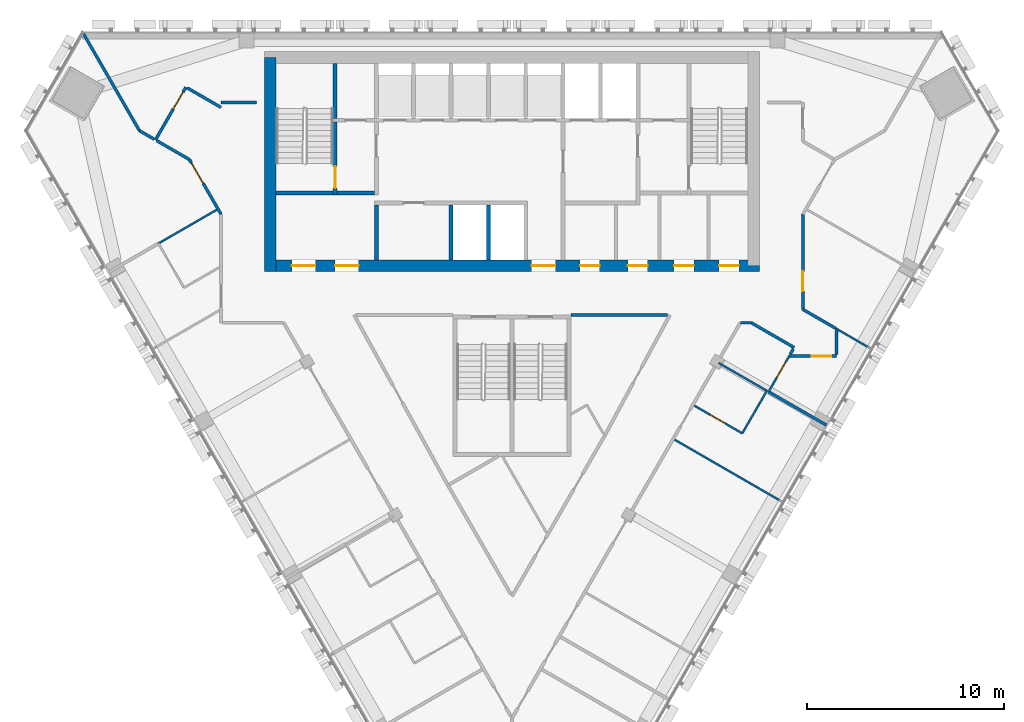
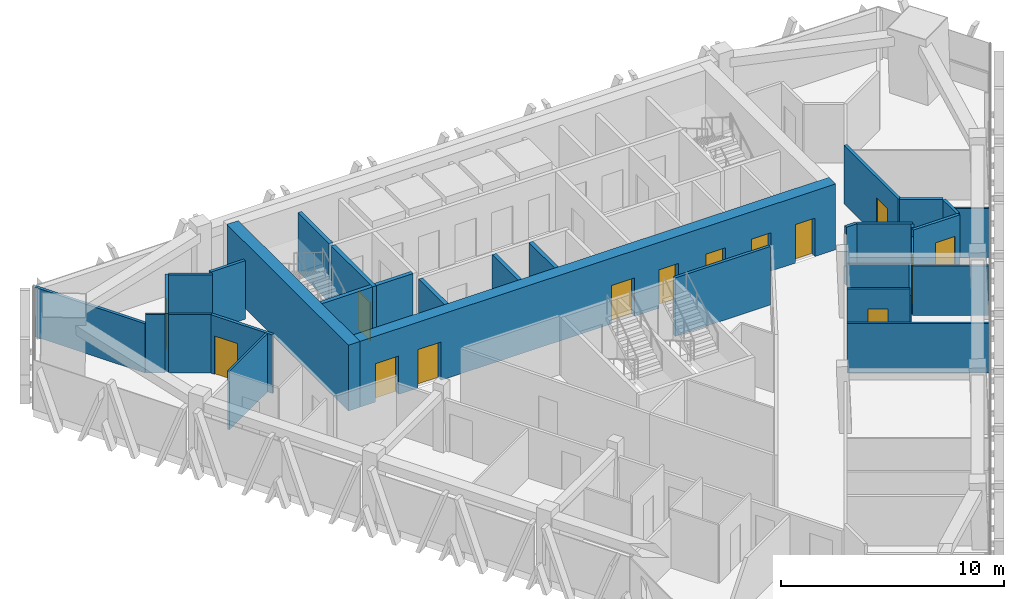
# One storey, part 9 of 14: 32 walls, 14 doors, 14 openings.
"""IFC4 building model written with IfcOpenShell, lengths in metres."""

from ifc_helpers import new_model, si_unit, direction, frame, frame_2d, origin, place, context, subcontext, project, spatial, rectangle, extrude, material, layer, layer_set, type_object, element, fill, save


model = new_model("IFC4")

# Units and contexts
model_context = context("Model", 3, precision=1e-05, world=origin(), true_north=direction((0.0, 1.0)))
body_context = subcontext(model_context, "Body", "Model", "MODEL_VIEW")
ifc_project = project(units=[si_unit("LENGTHUNIT", "METRE"), si_unit("AREAUNIT", "SQUARE_METRE"), si_unit("VOLUMEUNIT", "CUBIC_METRE"), si_unit("PLANEANGLEUNIT", "RADIAN"), si_unit("MASSUNIT", "GRAM", prefix="KILO")], contexts=[model_context])

# Site, building, storey
site_placement = place(None, origin())
site = spatial("IfcSite", under=ifc_project, at=site_placement, CompositionType="ELEMENT")
building_placement = place(site_placement, origin())
building = spatial("IfcBuilding", under=site, at=building_placement, Name="Altiplano Prism Tower", CompositionType="ELEMENT")
storey_placement = place(building_placement, frame((0.0, 0.0, 223.0)))
storey = spatial("IfcBuildingStorey", under=building, at=storey_placement, Name="L57", CompositionType="ELEMENT", Elevation=223.0)

# Wall, openings, doors
ifc_material_1 = material(Name="Concrete C60/75", Category="concrete")
ifc_layer_1 = layer(ifc_material_1, 0.60009765625)
ifc_layer_set_1 = layer_set([ifc_layer_1], Name="Concrete C60/75")
wall_type_1 = type_object("IfcWallType", Name="Core wall 600", PredefinedType="SHEAR", material=ifc_layer_set_1)
wall_1_placement = place(storey_placement, frame((72.699951171875, 93.10009765625, 0.0), z_axis=(0.0, 0.0, 1.0), x_axis=(1.0, 0.0, 0.0)))
wall_1 = element("IfcWall", 1, at=wall_1_placement, inside=storey, type_object=wall_type_1, Name="Core wall S L57", PredefinedType="SHEAR", context=body_context, shape_type="SweptSolid", body=[
    extrude(rectangle(XDim=24.900146484375, YDim=0.60009765625, at=frame_2d((12.4501953125, 0.0))), origin(), (0.0, 0.0, 1.0), 3.60009765625),
])
opening_1_placement = place(wall_1_placement, frame((1.10009765625, 0.0, 0.0)))
opening_1 = element("IfcOpeningElement", 2, at=opening_1_placement, cuts=wall_1, Name="Opening D3374", PredefinedType="OPENING", context=body_context, shape_type="SweptSolid", body=[
    extrude(rectangle(XDim=1.199951171875, YDim=2.10009765625, at=frame_2d((0.60009765625, 1.050048828125))), frame((0.0, 0.310546875, 0.0), z_axis=(0.0, -1.0, 0.0), x_axis=(1.0, 0.0, 0.0)), (0.0, 0.0, 1.0), 0.62109375),
])
opening_2_placement = place(wall_1_placement, frame((3.300048828125, 0.0, 0.0)))
opening_2 = element("IfcOpeningElement", 3, at=opening_2_placement, cuts=wall_1, Name="Opening D3375", PredefinedType="OPENING", context=body_context, shape_type="SweptSolid", body=[
    extrude(rectangle(XDim=1.199951171875, YDim=2.10009765625, at=frame_2d((0.60009765625, 1.050048828125))), frame((0.0, 0.310546875, 0.0), z_axis=(0.0, -1.0, 0.0), x_axis=(1.0, 0.0, 0.0)), (0.0, 0.0, 1.0), 0.62109375),
])
opening_3_placement = place(wall_1_placement, frame((13.300048828125, 0.0, 0.0)))
opening_3 = element("IfcOpeningElement", 4, at=opening_3_placement, cuts=wall_1, Name="Opening D3376", PredefinedType="OPENING", context=body_context, shape_type="SweptSolid", body=[
    extrude(rectangle(XDim=1.199951171875, YDim=2.10009765625, at=frame_2d((0.60009765625, 1.050048828125))), frame((0.0, 0.310546875, 0.0), z_axis=(0.0, -1.0, 0.0), x_axis=(1.0, 0.0, 0.0)), (0.0, 0.0, 1.0), 0.62109375),
])
opening_4_placement = place(wall_1_placement, frame((15.762451171875, 0.0, 0.0)))
opening_4 = element("IfcOpeningElement", 5, at=opening_4_placement, cuts=wall_1, Name="Opening D3379", PredefinedType="OPENING", context=body_context, shape_type="SweptSolid", body=[
    extrude(rectangle(XDim=1.0, YDim=2.10009765625, at=frame_2d((0.5, 1.050048828125))), frame((0.0, 0.310546875, 0.0), z_axis=(0.0, -1.0, 0.0), x_axis=(1.0, 0.0, 0.0)), (0.0, 0.0, 1.0), 0.62109375),
])
opening_5_placement = place(wall_1_placement, frame((18.199951171875, 0.0, 0.0)))
opening_5 = element("IfcOpeningElement", 6, at=opening_5_placement, cuts=wall_1, Name="Opening D3380", PredefinedType="OPENING", context=body_context, shape_type="SweptSolid", body=[
    extrude(rectangle(XDim=1.0, YDim=2.10009765625, at=frame_2d((0.5, 1.050048828125))), frame((0.0, 0.310546875, 0.0), z_axis=(0.0, -1.0, 0.0), x_axis=(1.0, 0.0, 0.0)), (0.0, 0.0, 1.0), 0.62109375),
])
opening_6_placement = place(wall_1_placement, frame((20.550048828125, 0.0, 0.0)))
opening_6 = element("IfcOpeningElement", 7, at=opening_6_placement, cuts=wall_1, Name="Opening D3381", PredefinedType="OPENING", context=body_context, shape_type="SweptSolid", body=[
    extrude(rectangle(XDim=1.0, YDim=2.10009765625, at=frame_2d((0.5, 1.050048828125))), frame((0.0, 0.310546875, 0.0), z_axis=(0.0, -1.0, 0.0), x_axis=(1.0, 0.0, 0.0)), (0.0, 0.0, 1.0), 0.62109375),
])
opening_7_placement = place(wall_1_placement, frame((22.83740234375, 0.0, 0.0)))
opening_7 = element("IfcOpeningElement", 8, at=opening_7_placement, cuts=wall_1, Name="Opening D3382", PredefinedType="OPENING", context=body_context, shape_type="SweptSolid", body=[
    extrude(rectangle(XDim=1.0, YDim=2.10009765625, at=frame_2d((0.5, 1.050048828125))), frame((0.0, 0.310546875, 0.0), z_axis=(0.0, -1.0, 0.0), x_axis=(1.0, 0.0, 0.0)), (0.0, 0.0, 1.0), 0.62109375),
])
ifc_material_2 = material(Name="Fire-rated steel door", Category="steel")
door_type_1 = type_object("IfcDoorType", Name="Core room door 1000 x 2100", OperationType="NOTDEFINED", PredefinedType="NOTDEFINED", material=ifc_material_2)
door_1_placement = place(opening_4_placement, origin())
door_1 = element("IfcDoor", 9, at=door_1_placement, inside=storey, type_object=door_type_1, Name="Core room door D3379", OperationType="SINGLE_SWING_RIGHT", OverallHeight=2.10009765625, OverallWidth=1.0, PredefinedType="NOTDEFINED", context=body_context, shape_type="SweptSolid", body=[
    extrude(rectangle(XDim=1.0, YDim=2.10009765625, at=frame_2d((0.5, 1.050048828125))), frame((0.0, 0.02490234375, 0.0), z_axis=(0.0, -1.0, 0.0), x_axis=(1.0, 0.0, 0.0)), (0.0, 0.0, 1.0), 0.050048828125),
])
fill(opening_4, door_1)
door_2_placement = place(opening_5_placement, origin())
door_2 = element("IfcDoor", 10, at=door_2_placement, inside=storey, type_object=door_type_1, Name="Core room door D3380", OperationType="SINGLE_SWING_LEFT", OverallHeight=2.10009765625, OverallWidth=1.0, PredefinedType="NOTDEFINED", context=body_context, shape_type="SweptSolid", body=[
    extrude(rectangle(XDim=1.0, YDim=2.10009765625, at=frame_2d((0.5, 1.050048828125))), frame((0.0, 0.02490234375, 0.0), z_axis=(0.0, -1.0, 0.0), x_axis=(1.0, 0.0, 0.0)), (0.0, 0.0, 1.0), 0.050048828125),
])
fill(opening_5, door_2)
door_3_placement = place(opening_6_placement, origin())
door_3 = element("IfcDoor", 11, at=door_3_placement, inside=storey, type_object=door_type_1, Name="Core room door D3381", OperationType="SINGLE_SWING_RIGHT", OverallHeight=2.10009765625, OverallWidth=1.0, PredefinedType="NOTDEFINED", context=body_context, shape_type="SweptSolid", body=[
    extrude(rectangle(XDim=1.0, YDim=2.10009765625, at=frame_2d((0.5, 1.050048828125))), frame((0.0, 0.02490234375, 0.0), z_axis=(0.0, -1.0, 0.0), x_axis=(1.0, 0.0, 0.0)), (0.0, 0.0, 1.0), 0.050048828125),
])
fill(opening_6, door_3)
door_4_placement = place(opening_7_placement, origin())
door_4 = element("IfcDoor", 12, at=door_4_placement, inside=storey, type_object=door_type_1, Name="Core room door D3382", OperationType="SINGLE_SWING_LEFT", OverallHeight=2.10009765625, OverallWidth=1.0, PredefinedType="NOTDEFINED", context=body_context, shape_type="SweptSolid", body=[
    extrude(rectangle(XDim=1.0, YDim=2.10009765625, at=frame_2d((0.5, 1.050048828125))), frame((0.0, 0.02490234375, 0.0), z_axis=(0.0, -1.0, 0.0), x_axis=(1.0, 0.0, 0.0)), (0.0, 0.0, 1.0), 0.050048828125),
])
fill(opening_7, door_4)
door_type_2 = type_object("IfcDoorType", Name="Lobby fire door 1200 x 2100", OperationType="NOTDEFINED", PredefinedType="NOTDEFINED", material=ifc_material_2)
door_5_placement = place(opening_1_placement, origin())
door_5 = element("IfcDoor", 13, at=door_5_placement, inside=storey, type_object=door_type_2, Name="Lobby fire door D3374", OperationType="SINGLE_SWING_RIGHT", OverallHeight=2.10009765625, OverallWidth=1.199951171875, PredefinedType="NOTDEFINED", context=body_context, shape_type="SweptSolid", body=[
    extrude(rectangle(XDim=1.199951171875, YDim=2.10009765625, at=frame_2d((0.60009765625, 1.050048828125))), frame((0.0, 0.02490234375, 0.0), z_axis=(0.0, -1.0, 0.0), x_axis=(1.0, 0.0, 0.0)), (0.0, 0.0, 1.0), 0.050048828125),
])
fill(opening_1, door_5)
door_6_placement = place(opening_2_placement, origin())
door_6 = element("IfcDoor", 14, at=door_6_placement, inside=storey, type_object=door_type_2, Name="Lobby fire door D3375", OperationType="SINGLE_SWING_LEFT", OverallHeight=2.10009765625, OverallWidth=1.199951171875, PredefinedType="NOTDEFINED", context=body_context, shape_type="SweptSolid", body=[
    extrude(rectangle(XDim=1.199951171875, YDim=2.10009765625, at=frame_2d((0.60009765625, 1.050048828125))), frame((0.0, 0.02490234375, 0.0), z_axis=(0.0, -1.0, 0.0), x_axis=(1.0, 0.0, 0.0)), (0.0, 0.0, 1.0), 0.050048828125),
])
fill(opening_2, door_6)
door_7_placement = place(opening_3_placement, origin())
door_7 = element("IfcDoor", 15, at=door_7_placement, inside=storey, type_object=door_type_2, Name="Lobby fire door D3376", OperationType="SINGLE_SWING_RIGHT", OverallHeight=2.10009765625, OverallWidth=1.199951171875, PredefinedType="NOTDEFINED", context=body_context, shape_type="SweptSolid", body=[
    extrude(rectangle(XDim=1.199951171875, YDim=2.10009765625, at=frame_2d((0.60009765625, 1.050048828125))), frame((0.0, 0.02490234375, 0.0), z_axis=(0.0, -1.0, 0.0), x_axis=(1.0, 0.0, 0.0)), (0.0, 0.0, 1.0), 0.050048828125),
])
fill(opening_3, door_7)

# Walls
wall_2_placement = place(storey_placement, frame((72.699951171875, 103.699951171875, 0.0), z_axis=(0.0, 0.0, 1.0), x_axis=(0.0, -1.0, 0.0)))
element("IfcWall", 16, at=wall_2_placement, inside=storey, type_object=wall_type_1, Name="Core wall W L57", PredefinedType="SHEAR", context=body_context, shape_type="SweptSolid", body=[
    extrude(rectangle(XDim=10.89990234375, YDim=0.60009765625, at=frame_2d((5.449951171875, 0.0))), origin(), (0.0, 0.0, 1.0), 3.60009765625),
])
ifc_material_3 = material(Name="Plasterboard on steel stud", Category="steel")
ifc_layer_2 = layer(ifc_material_3, 0.10009765625)
ifc_layer_set_2 = layer_set([ifc_layer_2], Name="Plasterboard on steel stud")
wall_type_2 = type_object("IfcWallType", Name="Partition 100 unit", PredefinedType="PARTITIONING", material=ifc_layer_set_2)
wall_3_placement = place(storey_placement, frame((97.9638671875, 86.740234375, 0.0), z_axis=(0.0, 0.0, 1.0), x_axis=(-0.500004234368, -0.866022959057, 0.0)))
element("IfcWall", 17, at=wall_3_placement, inside=storey, type_object=wall_type_2, Name="Partition P02 L57 054", PredefinedType="PARTITIONING", context=body_context, shape_type="SweptSolid", body=[
    extrude(rectangle(XDim=2.5, YDim=0.10009765625, at=frame_2d((1.25, 0.0))), origin(), (0.0, 0.0, 1.0), 2.800048828125),
])

# Wall, opening, door
wall_4_placement = place(storey_placement, frame((96.7138671875, 84.5751953125, 0.0), z_axis=(0.0, 0.0, 1.0), x_axis=(-0.866048868473, 0.499959355765, 0.0)))
wall_4 = element("IfcWall", 18, at=wall_4_placement, inside=storey, type_object=wall_type_2, Name="Partition P02 L57 055", PredefinedType="PARTITIONING", context=body_context, shape_type="SweptSolid", body=[
    extrude(rectangle(XDim=2.824951171875, YDim=0.10009765625, at=frame_2d((1.41259765625, 0.0))), origin(), (0.0, 0.0, 1.0), 3.199951171875),
])
opening_8_placement = place(wall_4_placement, frame((1.0, 0.0, 0.0)))
opening_8 = element("IfcOpeningElement", 19, at=opening_8_placement, cuts=wall_4, Name="Opening D1916", PredefinedType="OPENING", context=body_context, shape_type="SweptSolid", body=[
    extrude(rectangle(XDim=0.89990234375, YDim=2.10009765625, at=frame_2d((0.449951171875, 1.050048828125))), frame((0.0, 0.060546875, 0.0), z_axis=(0.0, -1.0, 0.0), x_axis=(1.0, 0.0, 0.0)), (0.0, 0.0, 1.0), 0.12109375),
])
ifc_material_4 = material(Name="Timber", Category="wood")
door_type_3 = type_object("IfcDoorType", Name="Ensuite door 900 x 2100", OperationType="NOTDEFINED", PredefinedType="NOTDEFINED", material=ifc_material_4)
door_8_placement = place(opening_8_placement, origin())
door_8 = element("IfcDoor", 20, at=door_8_placement, inside=storey, type_object=door_type_3, Name="Door D1916", OperationType="SINGLE_SWING_RIGHT", OverallHeight=2.10009765625, OverallWidth=0.89990234375, PredefinedType="NOTDEFINED", context=body_context, shape_type="SweptSolid", body=[
    extrude(rectangle(XDim=0.89990234375, YDim=2.10009765625, at=frame_2d((0.449951171875, 1.050048828125))), frame((0.0, 0.02490234375, 0.0), z_axis=(0.0, -1.0, 0.0), x_axis=(1.0, 0.0, 0.0)), (0.0, 0.0, 1.0), 0.050048828125),
])
fill(opening_8, door_8)

wall_5_placement = place(storey_placement, frame((99.10693359375, 88.52001953125, 0.0), z_axis=(0.0, 0.0, 1.0), x_axis=(-0.499979177903, -0.866037425094, 0.0)))
wall_5 = element("IfcWall", 21, at=wall_5_placement, inside=storey, type_object=wall_type_2, Name="Partition P02 L57 058", PredefinedType="PARTITIONING", context=body_context, shape_type="SweptSolid", body=[
    extrude(rectangle(XDim=2.11279296875, YDim=0.10009765625, at=frame_2d((1.056396484375, 0.0))), origin(), (0.0, 0.0, 1.0), 2.800048828125),
])
opening_9_placement = place(wall_5_placement, frame((0.373046875, 0.0, 0.0)))
opening_9 = element("IfcOpeningElement", 22, at=opening_9_placement, cuts=wall_5, Name="Opening D1918", PredefinedType="OPENING", context=body_context, shape_type="SweptSolid", body=[
    extrude(rectangle(XDim=0.89990234375, YDim=2.10009765625, at=frame_2d((0.449951171875, 1.050048828125))), frame((0.0, 0.060546875, 0.0), z_axis=(0.0, -1.0, 0.0), x_axis=(1.0, 0.0, 0.0)), (0.0, 0.0, 1.0), 0.12109375),
])
door_9_placement = place(opening_9_placement, origin())
door_9 = element("IfcDoor", 23, at=door_9_placement, inside=storey, type_object=door_type_3, Name="Door D1918", OperationType="SINGLE_SWING_LEFT", OverallHeight=2.10009765625, OverallWidth=0.89990234375, PredefinedType="NOTDEFINED", context=body_context, shape_type="SweptSolid", body=[
    extrude(rectangle(XDim=0.89990234375, YDim=2.10009765625, at=frame_2d((0.449951171875, 1.050048828125))), frame((0.0, 0.02490234375, 0.0), z_axis=(0.0, -1.0, 0.0), x_axis=(1.0, 0.0, 0.0)), (0.0, 0.0, 1.0), 0.050048828125),
])
fill(opening_9, door_9)

# Walls
ifc_layer_3 = layer(ifc_material_3, 0.10009765625)
ifc_layer_set_3 = layer_set([ifc_layer_3], Name="Plasterboard on steel stud")
wall_type_3 = type_object("IfcWallType", Name="Partition 100 wet", PredefinedType="PARTITIONING", material=ifc_layer_set_3)
wall_6_placement = place(storey_placement, frame((67.0166015625, 94.234375, 0.0), z_axis=(0.0, 0.0, 1.0), x_axis=(0.866001587311, 0.500041249073, 0.0)))
element("IfcWall", 24, at=wall_6_placement, inside=storey, type_object=wall_type_3, Name="Partition P03 L57 032", PredefinedType="PARTITIONING", context=body_context, shape_type="SweptSolid", body=[
    extrude(rectangle(XDim=3.425048828125, YDim=0.10009765625, at=frame_2d((1.71240234375, 0.0))), origin(), (0.0, 0.0, 1.0), 3.199951171875),
])
wall_7_placement = place(storey_placement, frame((98.762451171875, 81.0830078125, 0.0), z_axis=(0.0, 0.0, 1.0), x_axis=(-0.866025401434, 0.500000004071, 0.0)))
element("IfcWall", 25, at=wall_7_placement, inside=storey, type_object=wall_type_3, Name="Partition P03 L57 053", PredefinedType="PARTITIONING", context=body_context, shape_type="SweptSolid", body=[
    extrude(rectangle(XDim=6.34521484375, YDim=0.10009765625, at=frame_2d((3.172607421875, 0.0))), origin(), (0.0, 0.0, 1.0), 2.699951171875),
])
wall_8_placement = place(storey_placement, frame((97.981201171875, 86.730224609375, 0.0), z_axis=(0.0, 0.0, 1.0), x_axis=(-0.866048401274, 0.499960165064, 0.0)))
element("IfcWall", 26, at=wall_8_placement, inside=storey, type_object=wall_type_3, Name="Partition P03 L57 057", PredefinedType="PARTITIONING", context=body_context, shape_type="SweptSolid", body=[
    extrude(rectangle(XDim=2.844970703125, YDim=0.10009765625, at=frame_2d((1.42236328125, 0.0))), origin(), (0.0, 0.0, 1.0), 2.800048828125),
])
wall_9_placement = place(storey_placement, frame((103.262451171875, 88.877197265625, 0.0), z_axis=(0.0, 0.0, 1.0), x_axis=(-0.866019409031, 0.500010383074, 0.0)))
element("IfcWall", 27, at=wall_9_placement, inside=storey, type_object=wall_type_3, Name="Partition P03 L57 059", PredefinedType="PARTITIONING", context=body_context, shape_type="SweptSolid", body=[
    extrude(rectangle(XDim=2.05517578125, YDim=0.10009765625, at=frame_2d((1.027587890625, 0.0))), origin(), (0.0, 0.0, 1.0), 2.699951171875),
])
ifc_layer_4 = layer(ifc_material_3, 0.14990234375)
ifc_layer_set_4 = layer_set([ifc_layer_4], Name="Plasterboard on steel stud")
wall_type_4 = type_object("IfcWallType", Name="Partition 150 corridor", PredefinedType="PARTITIONING", material=ifc_layer_set_4)
wall_10_placement = place(storey_placement, frame((88.0, 90.60009765625, 0.0), z_axis=(0.0, 0.0, 1.0), x_axis=(1.0, 0.0, 0.0)))
element("IfcWall", 28, at=wall_10_placement, inside=storey, type_object=wall_type_4, Name="Partition P06 L57 002", PredefinedType="PARTITIONING", context=body_context, shape_type="SweptSolid", body=[
    extrude(rectangle(XDim=4.907470703125, YDim=0.14990234375, at=frame_2d((2.45361328125, 0.0))), origin(), (0.0, 0.0, 1.0), 3.199951171875),
])
wall_11_placement = place(storey_placement, frame((66.92822265625, 99.46240234375, 0.0), z_axis=(0.0, 0.0, 1.0), x_axis=(0.866033512162, -0.499985955615, 0.0)))
element("IfcWall", 29, at=wall_11_placement, inside=storey, type_object=wall_type_4, Name="Partition P06 L57 007", PredefinedType="PARTITIONING", context=body_context, shape_type="SweptSolid", body=[
    extrude(rectangle(XDim=1.9248046875, YDim=0.14990234375, at=frame_2d((0.96240234375, 0.0))), origin(), (0.0, 0.0, 1.0), 3.199951171875),
])

# Wall, opening, door
wall_12_placement = place(storey_placement, frame((68.59521484375, 98.5, 0.0), z_axis=(0.0, 0.0, 1.0), x_axis=(0.499992422807, -0.866029778435, 0.0)))
wall_12 = element("IfcWall", 30, at=wall_12_placement, inside=storey, type_object=wall_type_4, Name="Partition P06 L57 008", PredefinedType="PARTITIONING", context=body_context, shape_type="SweptSolid", body=[
    extrude(rectangle(XDim=3.20947265625, YDim=0.14990234375, at=frame_2d((1.604736328125, 0.0))), origin(), (0.0, 0.0, 1.0), 3.199951171875),
])
opening_10_placement = place(wall_12_placement, frame((0.199951171875, 0.0, 0.0)))
opening_10 = element("IfcOpeningElement", 31, at=opening_10_placement, cuts=wall_12, Name="Opening D1901", PredefinedType="OPENING", context=body_context, shape_type="SweptSolid", body=[
    extrude(rectangle(XDim=1.199951171875, YDim=2.10009765625, at=frame_2d((0.60009765625, 1.050048828125))), frame((0.0, 0.08544921875, 0.0), z_axis=(0.0, -1.0, 0.0), x_axis=(1.0, 0.0, 0.0)), (0.0, 0.0, 1.0), 0.1708984375),
])
door_type_4 = type_object("IfcDoorType", Name="Shared room door 1200 x 2100", OperationType="NOTDEFINED", PredefinedType="NOTDEFINED", material=ifc_material_4)
door_10_placement = place(opening_10_placement, origin())
door_10 = element("IfcDoor", 32, at=door_10_placement, inside=storey, type_object=door_type_4, Name="Door D1901", OperationType="SINGLE_SWING_LEFT", OverallHeight=2.10009765625, OverallWidth=1.199951171875, PredefinedType="NOTDEFINED", context=body_context, shape_type="SweptSolid", body=[
    extrude(rectangle(XDim=1.199951171875, YDim=2.10009765625, at=frame_2d((0.60009765625, 1.050048828125))), frame((0.0, 0.02490234375, 0.0), z_axis=(0.0, -1.0, 0.0), x_axis=(1.0, 0.0, 0.0)), (0.0, 0.0, 1.0), 0.050048828125),
])
fill(opening_10, door_10)

wall_13_placement = place(storey_placement, frame((99.095458984375, 88.5, 0.0), z_axis=(0.0, 0.0, 1.0), x_axis=(1.0, 0.0, 0.0)))
wall_13 = element("IfcWall", 33, at=wall_13_placement, inside=storey, type_object=wall_type_4, Name="Partition P06 L57 013", PredefinedType="PARTITIONING", context=body_context, shape_type="SweptSolid", body=[
    extrude(rectangle(XDim=2.404541015625, YDim=0.14990234375, at=frame_2d((1.2021484375, 0.0))), origin(), (0.0, 0.0, 1.0), 3.199951171875),
])
opening_11_placement = place(wall_13_placement, frame((1.14697265625, 0.0, 0.0)))
opening_11 = element("IfcOpeningElement", 34, at=opening_11_placement, cuts=wall_13, Name="Opening D1917", PredefinedType="OPENING", context=body_context, shape_type="SweptSolid", body=[
    extrude(rectangle(XDim=1.0, YDim=2.10009765625, at=frame_2d((0.5, 1.050048828125))), frame((0.0, 0.08544921875, 0.0), z_axis=(0.0, -1.0, 0.0), x_axis=(1.0, 0.0, 0.0)), (0.0, 0.0, 1.0), 0.1708984375),
])
door_type_5 = type_object("IfcDoorType", Name="Bedroom entrance door 1000 x 2100", OperationType="NOTDEFINED", PredefinedType="NOTDEFINED", material=ifc_material_4)
door_11_placement = place(opening_11_placement, origin())
door_11 = element("IfcDoor", 35, at=door_11_placement, inside=storey, type_object=door_type_5, Name="Door D1917", OperationType="SINGLE_SWING_LEFT", OverallHeight=2.10009765625, OverallWidth=1.0, PredefinedType="NOTDEFINED", context=body_context, shape_type="SweptSolid", body=[
    extrude(rectangle(XDim=1.0, YDim=2.10009765625, at=frame_2d((0.5, 1.050048828125))), frame((0.0, 0.02490234375, 0.0), z_axis=(0.0, -1.0, 0.0), x_axis=(1.0, 0.0, 0.0)), (0.0, 0.0, 1.0), 0.050048828125),
])
fill(opening_11, door_11)

# Walls
wall_14_placement = place(storey_placement, frame((101.5, 88.574951171875, 0.0), z_axis=(0.0, 0.0, 1.0), x_axis=(0.0, 1.0, 0.0)))
element("IfcWall", 36, at=wall_14_placement, inside=storey, type_object=wall_type_4, Name="Partition P06 L57 014", PredefinedType="PARTITIONING", context=body_context, shape_type="SweptSolid", body=[
    extrude(rectangle(XDim=1.2431640625, YDim=0.14990234375, at=frame_2d((0.62158203125, 0.0))), origin(), (0.0, 0.0, 1.0), 3.199951171875),
])
wall_15_placement = place(storey_placement, frame((96.61279296875, 90.199951171875, 0.0), z_axis=(0.0, 0.0, 1.0), x_axis=(1.0, 0.0, 0.0)))
element("IfcWall", 37, at=wall_15_placement, inside=storey, type_object=wall_type_4, Name="Partition P06 L57 015", PredefinedType="PARTITIONING", context=body_context, shape_type="SweptSolid", body=[
    extrude(rectangle(XDim=0.55859375, YDim=0.14990234375, at=frame_2d((0.279296875, 0.0))), origin(), (0.0, 0.0, 1.0), 3.199951171875),
])
wall_16_placement = place(storey_placement, frame((97.17138671875, 90.199951171875, 0.0), z_axis=(0.0, 0.0, 1.0), x_axis=(0.866019149666, -0.500010832295, 0.0)))
element("IfcWall", 38, at=wall_16_placement, inside=storey, type_object=wall_type_4, Name="Partition P06 L57 016", PredefinedType="PARTITIONING", context=body_context, shape_type="SweptSolid", body=[
    extrude(rectangle(XDim=2.51611328125, YDim=0.14990234375, at=frame_2d((1.258056640625, 0.0))), origin(), (0.0, 0.0, 1.0), 3.199951171875),
])
wall_17_placement = place(storey_placement, frame((99.31298828125, 88.876953125, 0.0), z_axis=(0.0, 0.0, 1.0), x_axis=(-0.499837838923, -0.866119007285, 0.0)))
element("IfcWall", 39, at=wall_17_placement, inside=storey, type_object=wall_type_4, Name="Partition P06 L57 017", PredefinedType="PARTITIONING", context=body_context, shape_type="SweptSolid", body=[
    extrude(rectangle(XDim=0.30517578125, YDim=0.14990234375, at=frame_2d((0.152587890625, 0.0))), origin(), (0.0, 0.0, 1.0), 3.199951171875),
])
wall_18_placement = place(storey_placement, frame((101.482666015625, 89.90478515625, 0.0), z_axis=(0.0, 0.0, 1.0), x_axis=(-0.866030739044, 0.499990758946, 0.0)))
element("IfcWall", 40, at=wall_18_placement, inside=storey, type_object=wall_type_4, Name="Partition P06 L57 018", PredefinedType="PARTITIONING", context=body_context, shape_type="SweptSolid", body=[
    extrude(rectangle(XDim=1.94287109375, YDim=0.14990234375, at=frame_2d((0.971435546875, 0.0))), origin(), (0.0, 0.0, 1.0), 3.199951171875),
])

# Wall, opening, door
wall_19_placement = place(storey_placement, frame((99.800048828125, 90.876220703125, 0.0), z_axis=(0.0, 0.0, 1.0), x_axis=(0.0, 1.0, 0.0)))
wall_19 = element("IfcWall", 41, at=wall_19_placement, inside=storey, type_object=wall_type_4, Name="Partition P06 L57 019", PredefinedType="PARTITIONING", context=body_context, shape_type="SweptSolid", body=[
    extrude(rectangle(XDim=4.84423828125, YDim=0.14990234375, at=frame_2d((2.422119140625, 0.0))), origin(), (0.0, 0.0, 1.0), 3.199951171875),
])
opening_12_placement = place(wall_19_placement, frame((0.93310546875, 0.0, 0.0)))
opening_12 = element("IfcOpeningElement", 42, at=opening_12_placement, cuts=wall_19, Name="Opening D1919", PredefinedType="OPENING", context=body_context, shape_type="SweptSolid", body=[
    extrude(rectangle(XDim=1.0, YDim=2.10009765625, at=frame_2d((0.5, 1.050048828125))), frame((0.0, 0.08544921875, 0.0), z_axis=(0.0, -1.0, 0.0), x_axis=(1.0, 0.0, 0.0)), (0.0, 0.0, 1.0), 0.1708984375),
])
door_type_6 = type_object("IfcDoorType", Name="Room door 1000 x 2100", OperationType="NOTDEFINED", PredefinedType="NOTDEFINED", material=ifc_material_4)
door_12_placement = place(opening_12_placement, origin())
door_12 = element("IfcDoor", 43, at=door_12_placement, inside=storey, type_object=door_type_6, Name="Door D1919", OperationType="SINGLE_SWING_LEFT", OverallHeight=2.10009765625, OverallWidth=1.0, PredefinedType="NOTDEFINED", context=body_context, shape_type="SweptSolid", body=[
    extrude(rectangle(XDim=1.0, YDim=2.10009765625, at=frame_2d((0.5, 1.050048828125))), frame((0.0, 0.02490234375, 0.0), z_axis=(0.0, -1.0, 0.0), x_axis=(1.0, 0.0, 0.0)), (0.0, 0.0, 1.0), 0.050048828125),
])
fill(opening_12, door_12)

# Walls
wall_20_placement = place(storey_placement, frame((72.0, 101.39990234375, 0.0), z_axis=(0.0, 0.0, 1.0), x_axis=(-1.0, 0.0, 0.0)))
element("IfcWall", 44, at=wall_20_placement, inside=storey, type_object=wall_type_4, Name="Partition P06 L57 024", PredefinedType="PARTITIONING", context=body_context, shape_type="SweptSolid", body=[
    extrude(rectangle(XDim=1.800048828125, YDim=0.14990234375, at=frame_2d((0.89990234375, 0.0))), origin(), (0.0, 0.0, 1.0), 3.199951171875),
])
wall_21_placement = place(storey_placement, frame((70.199951171875, 101.153076171875, 0.0), z_axis=(0.0, 0.0, 1.0), x_axis=(-0.865997437773, 0.500048435424, 0.0)))
element("IfcWall", 45, at=wall_21_placement, inside=storey, type_object=wall_type_4, Name="Partition P06 L57 025", PredefinedType="PARTITIONING", context=body_context, shape_type="SweptSolid", body=[
    extrude(rectangle(XDim=1.988037109375, YDim=0.14990234375, at=frame_2d((0.994140625, 0.0))), origin(), (0.0, 0.0, 1.0), 3.199951171875),
])

# Wall, opening, door
wall_22_placement = place(storey_placement, frame((68.4130859375, 102.1845703125, 0.0), z_axis=(0.0, 0.0, 1.0), x_axis=(-0.499967891604, -0.866043940782, 0.0)))
wall_22 = element("IfcWall", 46, at=wall_22_placement, inside=storey, type_object=wall_type_4, Name="Partition P06 L57 026", PredefinedType="PARTITIONING", context=body_context, shape_type="SweptSolid", body=[
    extrude(rectangle(XDim=3.099853515625, YDim=0.14990234375, at=frame_2d((1.5498046875, 0.0))), origin(), (0.0, 0.0, 1.0), 3.199951171875),
])
opening_13_placement = place(wall_22_placement, frame((0.2900390625, 0.0, 0.0)))
opening_13 = element("IfcOpeningElement", 47, at=opening_13_placement, cuts=wall_22, Name="Opening D1922", PredefinedType="OPENING", context=body_context, shape_type="SweptSolid", body=[
    extrude(rectangle(XDim=1.0, YDim=2.10009765625, at=frame_2d((0.5, 1.050048828125))), frame((0.0, 0.08544921875, 0.0), z_axis=(0.0, -1.0, 0.0), x_axis=(1.0, 0.0, 0.0)), (0.0, 0.0, 1.0), 0.1708984375),
])
door_type_7 = type_object("IfcDoorType", Name="Store door 1000 x 2100", OperationType="NOTDEFINED", PredefinedType="NOTDEFINED", material=ifc_material_4)
door_13_placement = place(opening_13_placement, origin())
door_13 = element("IfcDoor", 48, at=door_13_placement, inside=storey, type_object=door_type_7, Name="Door D1922", OperationType="SINGLE_SWING_LEFT", OverallHeight=2.10009765625, OverallWidth=1.0, PredefinedType="NOTDEFINED", context=body_context, shape_type="SweptSolid", body=[
    extrude(rectangle(XDim=1.0, YDim=2.10009765625, at=frame_2d((0.5, 1.050048828125))), frame((0.0, 0.02490234375, 0.0), z_axis=(0.0, -1.0, 0.0), x_axis=(1.0, 0.0, 0.0)), (0.0, 0.0, 1.0), 0.050048828125),
])
fill(opening_13, door_13)

# Walls
ifc_layer_5 = layer(ifc_material_3, 0.14990234375)
ifc_layer_set_5 = layer_set([ifc_layer_5], Name="Plasterboard on steel stud")
wall_type_5 = type_object("IfcWallType", Name="Partition 150 party", PredefinedType="PARTITIONING", material=ifc_layer_set_5)
wall_23_placement = place(storey_placement, frame((66.79833984375, 99.53759765625, 0.0), z_axis=(0.0, 0.0, 1.0), x_axis=(-0.866058379388, 0.499942880228, 0.0)))
element("IfcWall", 49, at=wall_23_placement, inside=storey, type_object=wall_type_5, Name="Partition P01 L57 033", PredefinedType="PARTITIONING", context=body_context, shape_type="SweptSolid", body=[
    extrude(rectangle(XDim=0.86279296875, YDim=0.14990234375, at=frame_2d((0.431396484375, 0.0))), origin(), (0.0, 0.0, 1.0), 3.199951171875),
])
wall_24_placement = place(storey_placement, frame((66.051025390625, 99.968994140625, 0.0), z_axis=(0.0, 0.0, 1.0), x_axis=(-0.500008252402, 0.866020639205, 0.0)))
element("IfcWall", 50, at=wall_24_placement, inside=storey, type_object=wall_type_5, Name="Partition P01 L57 034", PredefinedType="PARTITIONING", context=body_context, shape_type="SweptSolid", body=[
    extrude(rectangle(XDim=5.69384765625, YDim=0.14990234375, at=frame_2d((2.846923828125, 0.0))), origin(), (0.0, 0.0, 1.0), 2.699951171875),
])
wall_25_placement = place(storey_placement, frame((100.994873046875, 84.990234375, 0.0), z_axis=(0.0, 0.0, 1.0), x_axis=(-0.866020560687, 0.500008388397, 0.0)))
element("IfcWall", 51, at=wall_25_placement, inside=storey, type_object=wall_type_5, Name="Partition P01 L57 056", PredefinedType="PARTITIONING", context=body_context, shape_type="SweptSolid", body=[
    extrude(rectangle(XDim=3.39990234375, YDim=0.14990234375, at=frame_2d((1.699951171875, 0.0))), origin(), (0.0, 0.0, 1.0), 2.699951171875),
])
ifc_layer_6 = layer(ifc_material_1, 0.199951171875)
ifc_layer_set_6 = layer_set([ifc_layer_6], Name="Concrete C60/75")
wall_type_6 = type_object("IfcWallType", Name="Shaft wall 200", PredefinedType="SOLIDWALL", material=ifc_layer_set_6)
for number, where, z_axis, x_axis, name in (
    (52, (81.89990234375, 93.39990234375, 0.0), (0.0, 0.0, 1.0), (0.0, 1.0, 0.0), "Shaft wall L57"),
    (53, (83.800048828125, 93.39990234375, 0.0), (0.0, 0.0, 1.0), (0.0, 1.0, 0.0), "Shaft wall L57"),
):
    element("IfcWall", number, at=place(storey_placement, frame(where, z_axis=z_axis, x_axis=x_axis)), inside=storey, type_object=wall_type_6, Name=name, PredefinedType="SOLIDWALL", context=body_context, shape_type="SweptSolid", body=[
        extrude(rectangle(XDim=2.800048828125, YDim=0.199951171875, at=frame_2d((1.39990234375, 0.0))), origin(), (0.0, 0.0, 1.0), 3.199951171875),
    ])
ifc_layer_7 = layer(ifc_material_1, 0.199951171875)
ifc_layer_set_7 = layer_set([ifc_layer_7], Name="Concrete C60/75")
wall_type_7 = type_object("IfcWallType", Name="Stair wall 200", PredefinedType="SOLIDWALL", material=ifc_layer_set_7)
wall_26_placement = place(storey_placement, frame((73.0, 96.800048828125, 0.0), z_axis=(0.0, 0.0, 1.0), x_axis=(1.0, 0.0, 0.0)))
element("IfcWall", 54, at=wall_26_placement, inside=storey, type_object=wall_type_7, Name="Stair wall L57", PredefinedType="SOLIDWALL", context=body_context, shape_type="SweptSolid", body=[
    extrude(rectangle(XDim=2.89990234375, YDim=0.199951171875, at=frame_2d((1.449951171875, 0.0))), origin(), (0.0, 0.0, 1.0), 3.199951171875),
])

# Wall, opening, door
wall_27_placement = place(storey_placement, frame((76.0, 96.699951171875, 0.0), z_axis=(0.0, 0.0, 1.0), x_axis=(0.0, 1.0, 0.0)))
wall_27 = element("IfcWall", 55, at=wall_27_placement, inside=storey, type_object=wall_type_7, Name="Stair wall L57", PredefinedType="SOLIDWALL", context=body_context, shape_type="SweptSolid", body=[
    extrude(rectangle(XDim=3.699951171875, YDim=0.199951171875, at=frame_2d((1.85009765625, 0.0))), origin(), (0.0, 0.0, 1.0), 3.199951171875),
])
opening_14_placement = place(wall_27_placement, frame((0.35009765625, 0.0, 0.0)))
opening_14 = element("IfcOpeningElement", 56, at=opening_14_placement, cuts=wall_27, Name="Opening D3369", PredefinedType="OPENING", context=body_context, shape_type="SweptSolid", body=[
    extrude(rectangle(XDim=1.10009765625, YDim=2.10009765625, at=frame_2d((0.550048828125, 1.050048828125))), frame((0.0, 0.1103515625, 0.0), z_axis=(0.0, -1.0, 0.0), x_axis=(1.0, 0.0, 0.0)), (0.0, 0.0, 1.0), 0.220947265625),
])
door_type_8 = type_object("IfcDoorType", Name="Stair fire door 1100 x 2100", OperationType="NOTDEFINED", PredefinedType="NOTDEFINED", material=ifc_material_2)
door_14_placement = place(opening_14_placement, origin())
door_14 = element("IfcDoor", 57, at=door_14_placement, inside=storey, type_object=door_type_8, Name="Stair fire door D3369", OperationType="SINGLE_SWING_RIGHT", OverallHeight=2.10009765625, OverallWidth=1.10009765625, PredefinedType="NOTDEFINED", context=body_context, shape_type="SweptSolid", body=[
    extrude(rectangle(XDim=1.10009765625, YDim=2.10009765625, at=frame_2d((0.550048828125, 1.050048828125))), frame((0.0, 0.02490234375, 0.0), z_axis=(0.0, -1.0, 0.0), x_axis=(1.0, 0.0, 0.0)), (0.0, 0.0, 1.0), 0.050048828125),
])
fill(opening_14, door_14)

# Walls
wall_28_placement = place(storey_placement, frame((76.0, 100.60009765625, 0.0), z_axis=(0.0, 0.0, 1.0), x_axis=(0.0, 1.0, 0.0)))
element("IfcWall", 58, at=wall_28_placement, inside=storey, type_object=wall_type_7, Name="Stair wall L57", PredefinedType="SOLIDWALL", context=body_context, shape_type="SweptSolid", body=[
    extrude(rectangle(XDim=2.7998046875, YDim=0.199951171875, at=frame_2d((1.39990234375, 0.0))), origin(), (0.0, 0.0, 1.0), 3.199951171875),
])
ifc_layer_8 = layer(ifc_material_1, 0.199951171875)
ifc_layer_set_8 = layer_set([ifc_layer_8], Name="Concrete C60/75")
wall_type_8 = type_object("IfcWallType", Name="Vestibule wall 200", PredefinedType="PARTITIONING", material=ifc_layer_set_8)
wall_29_placement = place(storey_placement, frame((78.10009765625, 93.39990234375, 0.0), z_axis=(0.0, 0.0, 1.0), x_axis=(0.0, 1.0, 0.0)))
element("IfcWall", 59, at=wall_29_placement, inside=storey, type_object=wall_type_8, Name="Vestibule wall L57", PredefinedType="PARTITIONING", context=body_context, shape_type="SweptSolid", body=[
    extrude(rectangle(XDim=2.800048828125, YDim=0.199951171875, at=frame_2d((1.39990234375, 0.0))), origin(), (0.0, 0.0, 1.0), 3.199951171875),
])
wall_30_placement = place(storey_placement, frame((76.10009765625, 96.800048828125, 0.0), z_axis=(0.0, 0.0, 1.0), x_axis=(1.0, 0.0, 0.0)))
element("IfcWall", 60, at=wall_30_placement, inside=storey, type_object=wall_type_8, Name="Vestibule wall L57", PredefinedType="PARTITIONING", context=body_context, shape_type="SweptSolid", body=[
    extrude(rectangle(XDim=1.89990234375, YDim=0.199951171875, at=frame_2d((0.949951171875, 0.0))), origin(), (0.0, 0.0, 1.0), 3.199951171875),
])

save(model, "model.ifc")
